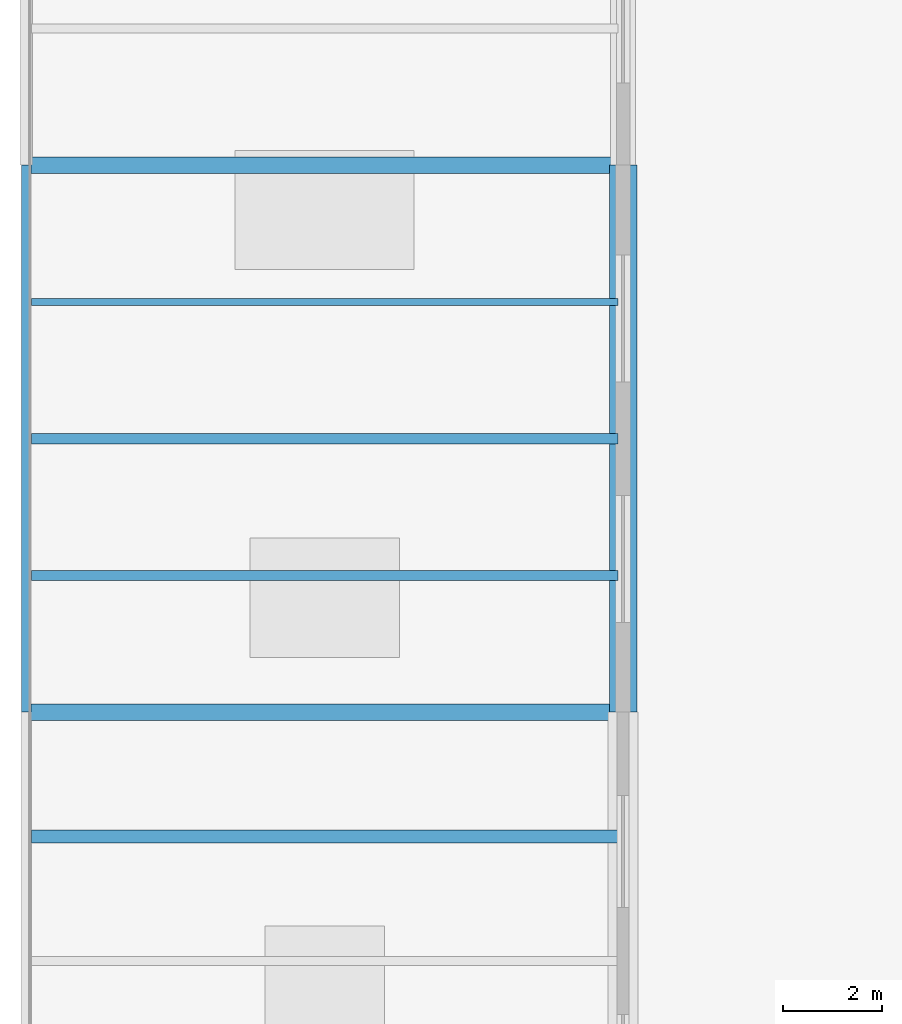
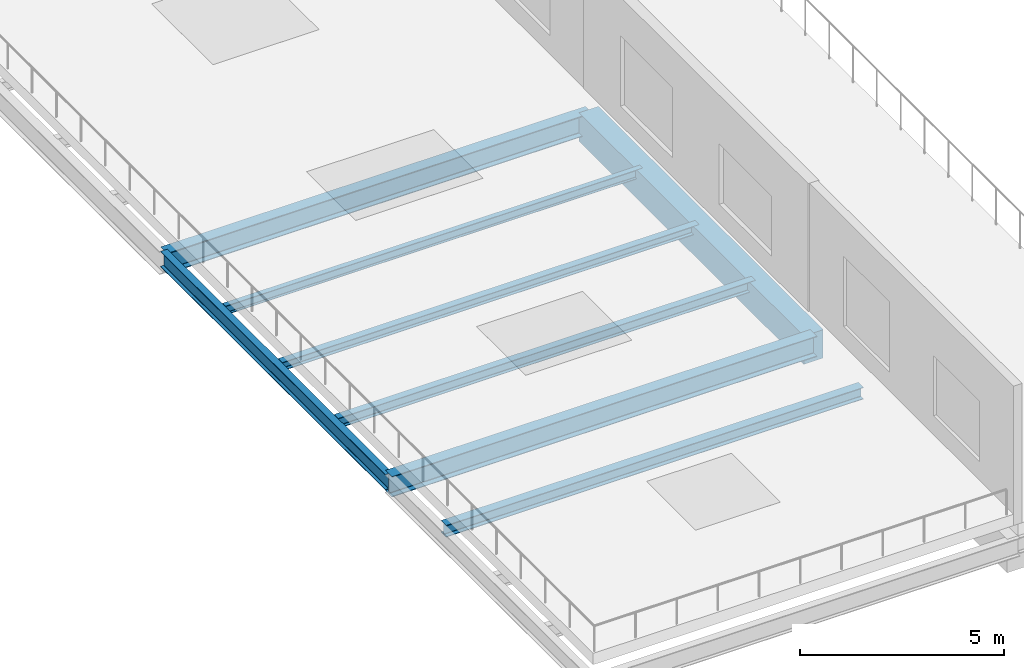
# One storey, part 5 of 90: 8 beams.
"""IFC4 building model written with IfcOpenShell, lengths in metres."""

from ifc_helpers import new_model, si_unit, direction, frame, origin, origin_2d, place, context, subcontext, project, spatial, rectangle, i_section, extrude, material, material_profile, profile_set, type_object, element, save


model = new_model("IFC4")

# Units and contexts
model_context = context("Model", 3, precision=1e-05, world=origin(), true_north=direction((0.0, 1.0)))
body_context = subcontext(model_context, "Body", "Model", "MODEL_VIEW")
ifc_project = project(units=[si_unit("LENGTHUNIT", "METRE"), si_unit("AREAUNIT", "SQUARE_METRE"), si_unit("VOLUMEUNIT", "CUBIC_METRE"), si_unit("PLANEANGLEUNIT", "RADIAN"), si_unit("MASSUNIT", "GRAM", prefix="KILO")], contexts=[model_context])

# Site, building, storey
site_placement = place(None, origin())
site = spatial("IfcSite", under=ifc_project, at=site_placement, CompositionType="ELEMENT")
building_placement = place(site_placement, origin())
building = spatial("IfcBuilding", under=site, at=building_placement, Name="Brinegate Civic Arena", CompositionType="ELEMENT")
storey_placement = place(building_placement, frame((0.0, 0.0, 14.699951171875)))
storey = spatial("IfcBuildingStorey", under=building, at=storey_placement, Name="L03", CompositionType="ELEMENT", Elevation=14.699951171875)

# Beams
ifc_material_1 = material(Name="Steel S355", Category="steel")
ifc_material_profile_1 = material_profile(ifc_material_1, i_section(OverallWidth=0.323974609375, OverallDepth=0.611083984375, WebThickness=0.012939453125, FlangeThickness=0.01904296875, FilletRadius=0.01611328125, at=origin_2d()), Name="W610X155")
ifc_profile_set_1 = profile_set([ifc_material_profile_1], Name="Steel S355")
beam_type_1 = type_object("IfcBeamType", Name="GIRDER-W610X155", PredefinedType="BEAM", material=ifc_profile_set_1)
beam_1_placement = place(storey_placement, frame((0.0, 20.0, -0.655029296875), z_axis=(1.0, 0.0, 0.0), x_axis=(0.0, 1.0, 0.0)))
element("IfcBeam", 1, at=beam_1_placement, inside=storey, type_object=beam_type_1, Name="Floor Girder BM-L03-GX-00-02", PredefinedType="BEAM", context=body_context, shape_type="SweptSolid", body=[
    extrude(i_section(OverallWidth=0.323974609375, OverallDepth=0.611083984375, WebThickness=0.012939453125, FlangeThickness=0.01904296875, FilletRadius=0.01611328125, at=origin_2d()), origin(), (0.0, 0.0, 1.0), 12.0),
])
ifc_material_profile_2 = material_profile(ifc_material_1, i_section(OverallWidth=0.324951171875, OverallDepth=0.615966796875, WebThickness=0.013916015625, FlangeThickness=0.02197265625, FilletRadius=0.01611328125, at=origin_2d()), Name="W610X174")
ifc_profile_set_2 = profile_set([ifc_material_profile_2], Name="Steel S355")
beam_type_2 = type_object("IfcBeamType", Name="GIRDER-W610X174", PredefinedType="BEAM", material=ifc_profile_set_2)
beam_2_placement = place(storey_placement, frame((0.0, 31.0, -0.657958984375), z_axis=(1.0, 0.0, 0.0), x_axis=(0.0, 1.0, 0.0)))
element("IfcBeam", 2, at=beam_2_placement, inside=storey, type_object=beam_type_2, Name="Floor Girder BM-L03-GX-00-03", PredefinedType="BEAM", context=body_context, shape_type="SweptSolid", body=[
    extrude(i_section(OverallWidth=0.324951171875, OverallDepth=0.615966796875, WebThickness=0.013916015625, FlangeThickness=0.02197265625, FilletRadius=0.01611328125, at=origin_2d()), origin(), (0.0, 0.0, 1.0), 12.0),
])
ifc_material_profile_3 = material_profile(ifc_material_1, i_section(OverallWidth=0.14794921875, OverallDepth=0.26611328125, WebThickness=0.008056640625, FlangeThickness=0.012939453125, FilletRadius=0.011962890625, at=origin_2d()), Name="W250X45")
ifc_profile_set_3 = profile_set([ifc_material_profile_3], Name="Steel S355")
beam_type_3 = type_object("IfcBeamType", Name="JOIST-W250X45", PredefinedType="JOIST", material=ifc_profile_set_3)
beam_3_placement = place(storey_placement, frame((0.10595703125, 28.25, -0.48291015625), z_axis=(1.0, 0.0, 0.0), x_axis=(0.0, 1.0, 0.0)))
element("IfcBeam", 3, at=beam_3_placement, inside=storey, type_object=beam_type_3, Name="Secondary Joist BM-L03-JX-00-02-3", PredefinedType="JOIST", context=body_context, shape_type="SweptSolid", body=[
    extrude(i_section(OverallWidth=0.14794921875, OverallDepth=0.26611328125, WebThickness=0.008056640625, FlangeThickness=0.012939453125, FilletRadius=0.011962890625, at=origin_2d()), origin(), (0.0, 0.0, 1.0), 11.7880859375),
])
ifc_material_profile_4 = material_profile(ifc_material_1, i_section(OverallWidth=0.202880859375, OverallDepth=0.251953125, WebThickness=0.008056640625, FlangeThickness=0.013916015625, FilletRadius=0.011962890625, at=origin_2d()), Name="W250X58")
ifc_profile_set_4 = profile_set([ifc_material_profile_4], Name="Steel S355")
beam_type_4 = type_object("IfcBeamType", Name="JOIST-W250X58", PredefinedType="JOIST", material=ifc_profile_set_4)
beam_4_placement = place(storey_placement, frame((0.10595703125, 25.5, -0.475830078125), z_axis=(1.0, 0.0, 0.0), x_axis=(0.0, 1.0, 0.0)))
element("IfcBeam", 4, at=beam_4_placement, inside=storey, type_object=beam_type_4, Name="Secondary Joist BM-L03-JX-00-02-2", PredefinedType="JOIST", context=body_context, shape_type="SweptSolid", body=[
    extrude(i_section(OverallWidth=0.202880859375, OverallDepth=0.251953125, WebThickness=0.008056640625, FlangeThickness=0.013916015625, FilletRadius=0.011962890625, at=origin_2d()), origin(), (0.0, 0.0, 1.0), 11.7880859375),
])
ifc_material_profile_5 = material_profile(ifc_material_1, i_section(OverallWidth=0.202880859375, OverallDepth=0.302978515625, WebThickness=0.008056640625, FlangeThickness=0.012939453125, FilletRadius=0.012939453125, at=origin_2d()), Name="W310X60")
ifc_profile_set_5 = profile_set([ifc_material_profile_5], Name="Steel S355")
beam_type_5 = type_object("IfcBeamType", Name="JOIST-W310X60", PredefinedType="JOIST", material=ifc_profile_set_5)
beam_5_placement = place(storey_placement, frame((0.10595703125, 22.75, -0.5009765625), z_axis=(1.0, 0.0, 0.0), x_axis=(0.0, 1.0, 0.0)))
element("IfcBeam", 5, at=beam_5_placement, inside=storey, type_object=beam_type_5, Name="Secondary Joist BM-L03-JX-00-02-1", PredefinedType="JOIST", context=body_context, shape_type="SweptSolid", body=[
    extrude(i_section(OverallWidth=0.202880859375, OverallDepth=0.302978515625, WebThickness=0.008056640625, FlangeThickness=0.012939453125, FilletRadius=0.012939453125, at=origin_2d()), origin(), (0.0, 0.0, 1.0), 11.7880859375),
])
ifc_material_profile_6 = material_profile(ifc_material_1, i_section(OverallWidth=0.25390625, OverallDepth=0.35302734375, WebThickness=0.010009765625, FlangeThickness=0.01611328125, FilletRadius=0.013916015625, at=origin_2d()), Name="W360X91")
ifc_profile_set_6 = profile_set([ifc_material_profile_6], Name="Steel S355")
beam_type_6 = type_object("IfcBeamType", Name="JOIST-W360X91", PredefinedType="JOIST", material=ifc_profile_set_6)
beam_6_placement = place(storey_placement, frame((0.10595703125, 17.5, -0.52587890625), z_axis=(1.0, 0.0, 0.0), x_axis=(0.0, 1.0, 0.0)))
element("IfcBeam", 6, at=beam_6_placement, inside=storey, type_object=beam_type_6, Name="Secondary Joist BM-L03-JX-00-01-3", PredefinedType="JOIST", context=body_context, shape_type="SweptSolid", body=[
    extrude(i_section(OverallWidth=0.25390625, OverallDepth=0.35302734375, WebThickness=0.010009765625, FlangeThickness=0.01611328125, FilletRadius=0.013916015625, at=origin_2d()), origin(), (0.0, 0.0, 1.0), 11.7880859375),
])
ifc_material_2 = material(Name="Concrete C50/60", Category="concrete")
ifc_material_profile_7 = material_profile(ifc_material_2, rectangle(XDim=0.550048828125, YDim=0.85009765625, at=origin_2d()), Name="RCB550X850")
ifc_profile_set_7 = profile_set([ifc_material_profile_7], Name="Concrete C50/60")
beam_type_7 = type_object("IfcBeamType", Name="RCG-550X850", PredefinedType="BEAM", material=ifc_profile_set_7)
beam_7_placement = place(storey_placement, frame((12.0, 20.0, -0.77490234375), z_axis=(0.0, 1.0, 0.0), x_axis=(-1.0, 0.0, 0.0)))
element("IfcBeam", 7, at=beam_7_placement, inside=storey, type_object=beam_type_7, Name="Floor Girder BM-L03-GY-01-02", PredefinedType="BEAM", context=body_context, shape_type="SweptSolid", body=[
    extrude(rectangle(XDim=0.550048828125, YDim=0.85009765625, at=origin_2d()), origin(), (0.0, 0.0, 1.0), 11.0),
])
ifc_material_profile_8 = material_profile(ifc_material_1, i_section(OverallWidth=0.193115234375, OverallDepth=0.466064453125, WebThickness=0.010986328125, FlangeThickness=0.01904296875, FilletRadius=0.014892578125, at=origin_2d()), Name="W460X97")
ifc_profile_set_8 = profile_set([ifc_material_profile_8], Name="Steel S355")
beam_type_8 = type_object("IfcBeamType", Name="SPANDREL-W460X97", PredefinedType="SPANDREL", material=ifc_profile_set_8)
beam_8_placement = place(storey_placement, frame((0.0, 20.0, -0.5830078125), z_axis=(0.0, 1.0, 0.0), x_axis=(-1.0, 0.0, 0.0)))
element("IfcBeam", 8, at=beam_8_placement, inside=storey, type_object=beam_type_8, Name="Floor Girder BM-L03-GY-00-02", PredefinedType="SPANDREL", context=body_context, shape_type="SweptSolid", body=[
    extrude(i_section(OverallWidth=0.193115234375, OverallDepth=0.466064453125, WebThickness=0.010986328125, FlangeThickness=0.01904296875, FilletRadius=0.014892578125, at=origin_2d()), origin(), (0.0, 0.0, 1.0), 11.0),
])

save(model, "model.ifc")
